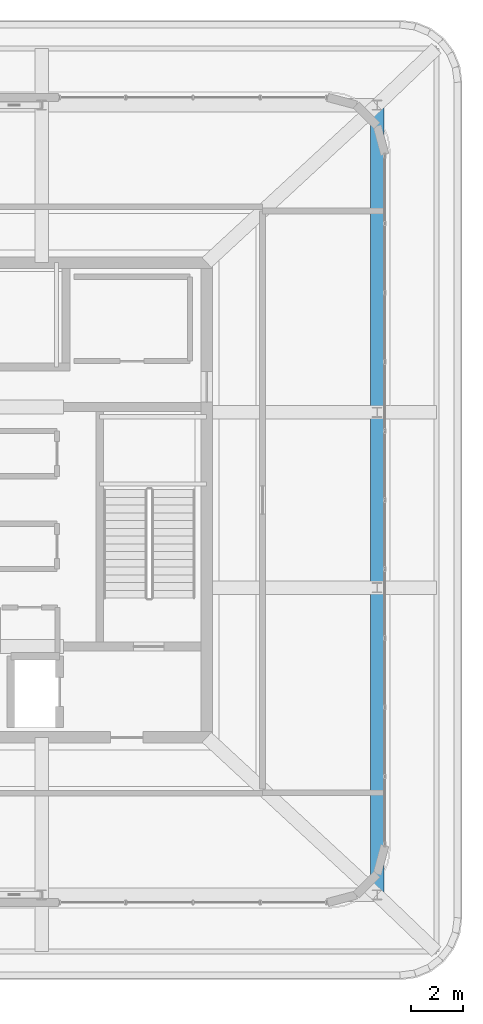
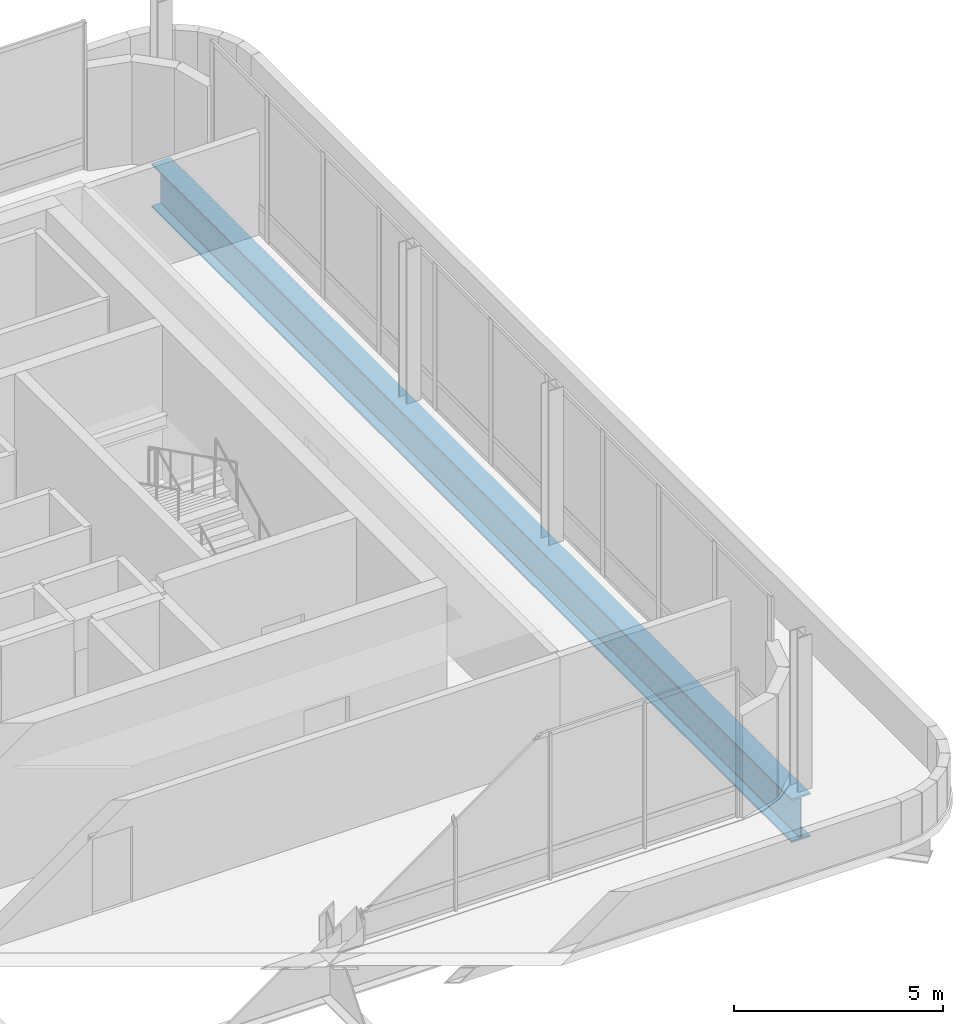
# One storey, part 13 of 28: 1 beam.
"""IFC4 building model written with IfcOpenShell, lengths in metres."""

from ifc_helpers import new_model, si_unit, direction, frame, origin, origin_2d, place, context, subcontext, project, spatial, i_section, extrude, material, material_profile, profile_set, type_object, element, save


model = new_model("IFC4")

# Units and contexts
model_context = context("Model", 3, precision=1e-05, world=origin(), true_north=direction((0.0, 1.0)))
body_context = subcontext(model_context, "Body", "Model", "MODEL_VIEW")
ifc_project = project(units=[si_unit("LENGTHUNIT", "METRE"), si_unit("AREAUNIT", "SQUARE_METRE"), si_unit("VOLUMEUNIT", "CUBIC_METRE"), si_unit("PLANEANGLEUNIT", "RADIAN"), si_unit("MASSUNIT", "GRAM", prefix="KILO")], contexts=[model_context])

# Site, building, storey
site_placement = place(None, origin())
site = spatial("IfcSite", under=ifc_project, at=site_placement, CompositionType="ELEMENT")
building_placement = place(site_placement, origin())
building = spatial("IfcBuilding", under=site, at=building_placement, Name="Punatoya Terracotta Tower", CompositionType="ELEMENT")
storey_placement = place(building_placement, frame((0.0, 0.0, 352.800048828125)))
storey = spatial("IfcBuildingStorey", under=building, at=storey_placement, Name="L83", CompositionType="ELEMENT", Elevation=352.800048828125)

# Beam
ifc_material = material(Name="Steel S460", Category="steel")
ifc_material_profile = material_profile(ifc_material, i_section(OverallWidth=0.52001953125, OverallDepth=1.280029296875, WebThickness=0.031982421875, FlangeThickness=0.050048828125, FilletRadius=0.01806640625, at=origin_2d()))
ifc_profile_set = profile_set([ifc_material_profile], Name="Steel S460")
beam_type = type_object("IfcBeamType", Name="BM-TG-NCK", PredefinedType="BEAM", material=ifc_profile_set)
beam_placement = place(storey_placement, frame((16.800048828125, -15.300048828125, -0.920166015625), z_axis=(0.0, 1.0, 0.0), x_axis=(-1.0, 0.0, 0.0)))
element("IfcBeam", 1, at=beam_placement, inside=storey, type_object=beam_type, Name="BM-L83-RE", PredefinedType="BEAM", context=body_context, shape_type="SweptSolid", body=[
    extrude(i_section(OverallWidth=0.52001953125, OverallDepth=1.280029296875, WebThickness=0.031982421875, FlangeThickness=0.050048828125, FilletRadius=0.01806640625, at=origin_2d()), origin(), (0.0, 0.0, 1.0), 30.60009765625),
])

save(model, "model.ifc")
